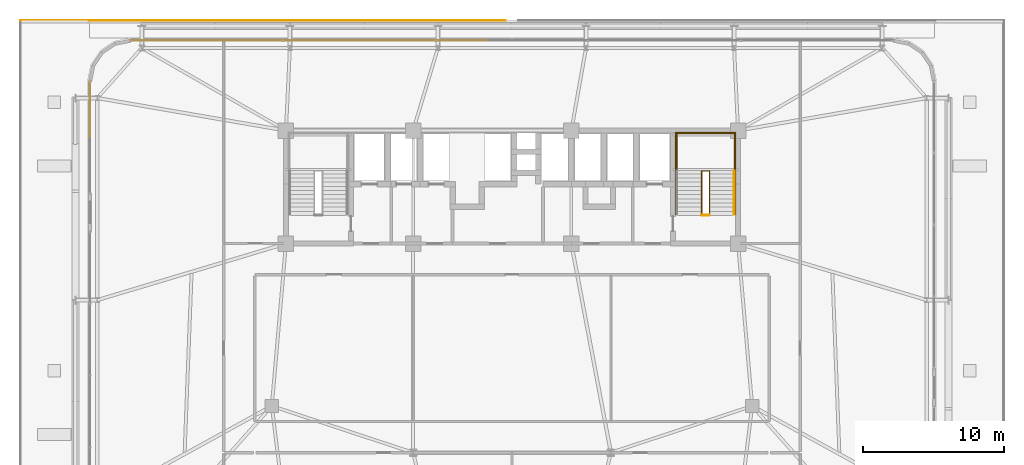
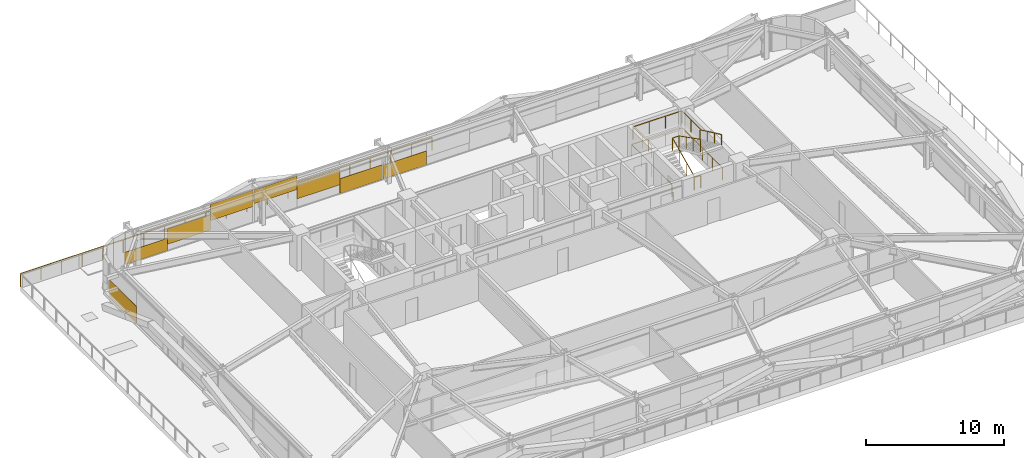
# One storey, part 55 of 56: 8 coverings, 6 railings.
"""IFC4 building model written with IfcOpenShell, lengths in metres."""

from ifc_helpers import new_model, si_unit, direction, frame, origin, origin_2d, place, context, subcontext, project, spatial, rectangle, extrude, source, transform, mapped, material, layer, layer_set, type_object, element, save


model = new_model("IFC4")

# Units and contexts
model_context = context("Model", 3, precision=1e-05, world=origin(), true_north=direction((0.0, 1.0)))
body_context = subcontext(model_context, "Body", "Model", "MODEL_VIEW")
ifc_project = project(units=[si_unit("LENGTHUNIT", "METRE"), si_unit("AREAUNIT", "SQUARE_METRE"), si_unit("VOLUMEUNIT", "CUBIC_METRE"), si_unit("PLANEANGLEUNIT", "RADIAN"), si_unit("MASSUNIT", "GRAM", prefix="KILO")], contexts=[model_context])

# Site, building, storey
site_placement = place(None, origin())
site = spatial("IfcSite", under=ifc_project, at=site_placement, CompositionType="ELEMENT")
building_placement = place(site_placement, origin())
building = spatial("IfcBuilding", under=site, at=building_placement, Name="Taldren Reach Tower", CompositionType="ELEMENT")
storey_placement = place(building_placement, frame((0.0, 0.0, 16.800048828125)))
storey = spatial("IfcBuildingStorey", under=building, at=storey_placement, Name="L04", CompositionType="ELEMENT", Elevation=16.800048828125)

# Railings
ifc_material_1 = material(Name="Steel Gr 350 (C350L0)", Category="steel")
ifc_layer_1 = layer(ifc_material_1, 0.050048828125)
ifc_layer_set_1 = layer_set([ifc_layer_1], Name="Steel Gr 350 (C350L0)")
railing_type_1 = type_object("IfcRailingType", Name="RL-STAIR-GR", PredefinedType="GUARDRAIL", material=ifc_layer_set_1)
railing_1_placement = place(storey_placement, frame((46.659912109375, 29.135009765625, 1.574951171875)))
element("IfcRailing", 1, at=railing_1_placement, inside=storey, type_object=railing_type_1, Name="Stair half-landing perimeter guard ST2-L04", PredefinedType="GUARDRAIL", context=body_context, shape_type="SweptSolid", body=[
    extrude(rectangle(XDim=0.047852, YDim=0.047852, at=origin_2d()), frame((0.0, 0.0, 1.09619140625), z_axis=(0.0, 1.0, 0.0), x_axis=(-1.0, 0.0, 0.0)), (0.0, 0.0, 1.0), 2.64501953125),
    extrude(rectangle(XDim=0.047852, YDim=0.047852, at=origin_2d()), frame((0.0, 2.64501953125, 1.09619140625), z_axis=(1.0, 0.0, 0.0), x_axis=(0.0, 1.0, 0.0)), (0.0, 0.0, 1.0), 4.080078125),
    extrude(rectangle(XDim=0.047852, YDim=0.047852, at=origin_2d()), frame((4.080078125, 2.64501953125, 1.09619140625), z_axis=(0.0, -1.0, 0.0), x_axis=(1.0, 0.0, 0.0)), (0.0, 0.0, 1.0), 2.64501953125),
    extrude(rectangle(XDim=0.041992, YDim=0.041992, at=origin_2d()), origin(), (0.0, 0.0, 1.0), 1.072021484375),
    extrude(rectangle(XDim=0.041992, YDim=0.041992, at=origin_2d()), frame((0.0, 1.322509765625, 0.0)), (0.0, 0.0, 1.0), 1.072021484375),
    extrude(rectangle(XDim=0.041992, YDim=0.041992, at=origin_2d()), frame((0.0, 2.64501953125, 0.0)), (0.0, 0.0, 1.0), 1.072021484375),
    extrude(rectangle(XDim=0.041992, YDim=0.041992, at=origin_2d()), frame((1.360107421875, 2.64501953125, 0.0)), (0.0, 0.0, 1.0), 1.072021484375),
    extrude(rectangle(XDim=0.041992, YDim=0.041992, at=origin_2d()), frame((2.719970703125, 2.64501953125, 0.0)), (0.0, 0.0, 1.0), 1.072021484375),
    extrude(rectangle(XDim=0.041992, YDim=0.041992, at=origin_2d()), frame((4.080078125, 2.64501953125, 0.0)), (0.0, 0.0, 1.0), 1.072021484375),
    extrude(rectangle(XDim=0.041992, YDim=0.041992, at=origin_2d()), frame((4.080078125, 1.322509765625, 0.0)), (0.0, 0.0, 1.0), 1.072021484375),
    extrude(rectangle(XDim=0.041992, YDim=0.041992, at=origin_2d()), frame((4.080078125, 0.0, 0.0)), (0.0, 0.0, 1.0), 1.072021484375),
])
railing_2_placement = place(storey_placement, frame((48.429931640625, 26.050048828125, 0.13134765625)))
element("IfcRailing", 2, at=railing_2_placement, inside=storey, type_object=railing_type_1, Name="Stairwell inner guard ST2-L04", PredefinedType="GUARDRAIL", context=body_context, shape_type="SweptSolid", body=[
    extrude(rectangle(XDim=0.047852, YDim=0.047852, at=origin_2d()), frame((0.0, 0.0, 1.09619140625), z_axis=(0.0, 0.905737652094, 0.423838773095), x_axis=(-1.0, 0.0, 0.0)), (0.0, 0.0, 1.0), 3.406005859375),
    extrude(rectangle(XDim=0.047852, YDim=0.047852, at=origin_2d()), frame((0.0, 3.0849609375, 2.53955078125), z_axis=(1.0, 0.0, 0.0), x_axis=(0.0, 1.0, 0.0)), (0.0, 0.0, 1.0), 0.5400390625),
    extrude(rectangle(XDim=0.047852, YDim=0.047852, at=origin_2d()), frame((0.5400390625, 3.0849609375, 2.53955078125), z_axis=(0.0, -0.890645957773, 0.45469745755), x_axis=(1.0, 0.0, 0.0)), (0.0, 0.0, 1.0), 3.463623046875),
    extrude(rectangle(XDim=0.041992, YDim=0.041992, at=origin_2d()), origin(), (0.0, 0.0, 1.0), 1.072021484375),
    extrude(rectangle(XDim=0.041992, YDim=0.041992, at=origin_2d()), frame((0.0, 1.0283203125, 0.481201171875)), (0.0, 0.0, 1.0), 1.072021484375),
    extrude(rectangle(XDim=0.041992, YDim=0.041992, at=origin_2d()), frame((0.0, 2.056640625, 0.96240234375)), (0.0, 0.0, 1.0), 1.072021484375),
    extrude(rectangle(XDim=0.041992, YDim=0.041992, at=origin_2d()), frame((0.0, 3.0849609375, 1.443603515625)), (0.0, 0.0, 1.0), 1.072021484375),
    extrude(rectangle(XDim=0.041992, YDim=0.041992, at=origin_2d()), frame((0.5400390625, 3.0849609375, 1.443603515625)), (0.0, 0.0, 1.0), 1.072021484375),
    extrude(rectangle(XDim=0.041992, YDim=0.041992, at=origin_2d()), frame((0.5400390625, 2.056640625, 1.968505859375)), (0.0, 0.0, 1.0), 1.072021484375),
    extrude(rectangle(XDim=0.041992, YDim=0.041992, at=origin_2d()), frame((0.5400390625, 1.0283203125, 2.49365234375)), (0.0, 0.0, 1.0), 1.072021484375),
    extrude(rectangle(XDim=0.041992, YDim=0.041992, at=origin_2d()), frame((0.5400390625, 0.0, 3.0185546875)), (0.0, 0.0, 1.0), 1.072021484375),
])
railing_3_placement = place(storey_placement, frame((48.429931640625, 26.010009765625, 0.0)))
element("IfcRailing", 3, at=railing_3_placement, inside=storey, type_object=railing_type_1, Name="Stairwell landing slot guard ST2-L04", PredefinedType="GUARDRAIL", context=body_context, shape_type="SweptSolid", body=[
    extrude(rectangle(XDim=0.047852, YDim=0.047852, at=origin_2d()), frame((0.0, 0.0, 1.09619140625), z_axis=(1.0, 0.0, 0.0), x_axis=(0.0, 1.0, 0.0)), (0.0, 0.0, 1.0), 0.5400390625),
    extrude(rectangle(XDim=0.041992, YDim=0.041992, at=origin_2d()), origin(), (0.0, 0.0, 1.0), 1.072021484375),
    extrude(rectangle(XDim=0.041992, YDim=0.041992, at=origin_2d()), frame((0.5400390625, 0.0, 0.0)), (0.0, 0.0, 1.0), 1.072021484375),
])
railing_4_placement = place(storey_placement, frame((46.590087890625, 26.050048828125, 0.0)))
element("IfcRailing", 4, at=railing_4_placement, inside=storey, type_object=railing_type_1, Name="Stairwell floor opening guard ST2-L04", PredefinedType="GUARDRAIL", context=body_context, shape_type="SweptSolid", body=[
    extrude(rectangle(XDim=0.047852, YDim=0.047852, at=origin_2d()), frame((0.0, 0.0, 1.09619140625), z_axis=(0.0, 1.0, 0.0), x_axis=(-1.0, 0.0, 0.0)), (0.0, 0.0, 1.0), 5.800048828125),
    extrude(rectangle(XDim=0.047852, YDim=0.047852, at=origin_2d()), frame((0.0, 5.800048828125, 1.09619140625), z_axis=(1.0, 0.0, 0.0), x_axis=(0.0, 1.0, 0.0)), (0.0, 0.0, 1.0), 4.219970703125),
    extrude(rectangle(XDim=0.047852, YDim=0.047852, at=origin_2d()), frame((4.219970703125, 5.800048828125, 1.09619140625), z_axis=(0.0, -1.0, 0.0), x_axis=(1.0, 0.0, 0.0)), (0.0, 0.0, 1.0), 5.800048828125),
    extrude(rectangle(XDim=0.041992, YDim=0.041992, at=origin_2d()), origin(), (0.0, 0.0, 1.0), 1.072021484375),
    extrude(rectangle(XDim=0.041992, YDim=0.041992, at=origin_2d()), frame((0.0, 1.449951171875, 0.0)), (0.0, 0.0, 1.0), 1.072021484375),
    extrude(rectangle(XDim=0.041992, YDim=0.041992, at=origin_2d()), frame((0.0, 2.89990234375, 0.0)), (0.0, 0.0, 1.0), 1.072021484375),
    extrude(rectangle(XDim=0.041992, YDim=0.041992, at=origin_2d()), frame((0.0, 4.35009765625, 0.0)), (0.0, 0.0, 1.0), 1.072021484375),
    extrude(rectangle(XDim=0.041992, YDim=0.041992, at=origin_2d()), frame((0.0, 5.800048828125, 0.0)), (0.0, 0.0, 1.0), 1.072021484375),
    extrude(rectangle(XDim=0.041992, YDim=0.041992, at=origin_2d()), frame((1.40673828125, 5.800048828125, 0.0)), (0.0, 0.0, 1.0), 1.072021484375),
    extrude(rectangle(XDim=0.041992, YDim=0.041992, at=origin_2d()), frame((2.813232421875, 5.800048828125, 0.0)), (0.0, 0.0, 1.0), 1.072021484375),
    extrude(rectangle(XDim=0.041992, YDim=0.041992, at=origin_2d()), frame((4.219970703125, 5.800048828125, 0.0)), (0.0, 0.0, 1.0), 1.072021484375),
    extrude(rectangle(XDim=0.041992, YDim=0.041992, at=origin_2d()), frame((4.219970703125, 4.35009765625, 0.0)), (0.0, 0.0, 1.0), 1.072021484375),
    extrude(rectangle(XDim=0.041992, YDim=0.041992, at=origin_2d()), frame((4.219970703125, 2.89990234375, 0.0)), (0.0, 0.0, 1.0), 1.072021484375),
    extrude(rectangle(XDim=0.041992, YDim=0.041992, at=origin_2d()), frame((4.219970703125, 1.449951171875, 0.0)), (0.0, 0.0, 1.0), 1.072021484375),
    extrude(rectangle(XDim=0.041992, YDim=0.041992, at=origin_2d()), frame((4.219970703125, 0.0, 0.0)), (0.0, 0.0, 1.0), 1.072021484375),
])
ifc_material_2 = material(Name="Stainless Steel Gr 316", Category="steel")
ifc_layer_2 = layer(ifc_material_2, 0.048095703125)
ifc_layer_set_2 = layer_set([ifc_layer_2], Name="Stainless Steel Gr 316")
railing_type_2 = type_object("IfcRailingType", Name="RL-STAIR-HR", PredefinedType="HANDRAIL", material=ifc_layer_set_2)
railing_5_placement = place(storey_placement, frame((50.72998046875, 29.135009765625, 1.706298828125)))
element("IfcRailing", 5, at=railing_5_placement, inside=storey, type_object=railing_type_2, Name="Stair flight handrail ST2-L04-2", PredefinedType="HANDRAIL", context=body_context, shape_type="SweptSolid", body=[
    extrude(rectangle(XDim=0.047852, YDim=0.047852, at=origin_2d()), frame((0.0, 0.0, 0.89599609375), z_axis=(0.0, -0.905737652094, 0.423838773095), x_axis=(1.0, 0.0, 0.0)), (0.0, 0.0, 1.0), 3.406005859375),
    extrude(rectangle(XDim=0.041992, YDim=0.041992, at=origin_2d()), origin(), (0.0, 0.0, 1.0), 0.871826171875),
    extrude(rectangle(XDim=0.041992, YDim=0.041992, at=origin_2d()), frame((0.0, -1.0283203125, 0.481201171875)), (0.0, 0.0, 1.0), 0.871826171875),
    extrude(rectangle(XDim=0.041992, YDim=0.041992, at=origin_2d()), frame((0.0, -2.056640625, 0.96240234375)), (0.0, 0.0, 1.0), 0.871826171875),
    extrude(rectangle(XDim=0.041992, YDim=0.041992, at=origin_2d()), frame((0.0, -3.0849609375, 1.443603515625)), (0.0, 0.0, 1.0), 0.871826171875),
])
ifc_material_3 = material(Name="Laminated Glass and Pale-Anodised Aluminium Balustrade", Category="aluminium")
ifc_layer_3 = layer(ifc_material_3, 0.070068359375)
ifc_layer_set_3 = layer_set([ifc_layer_3], Name="Laminated Glass and Pale-Anodised Aluminium Balustrade")
railing_type_3 = type_object("IfcRailingType", Name="RL-TERR-1150", PredefinedType="GUARDRAIL", material=ifc_layer_set_3)
railing_6_placement = place(storey_placement, frame((0.199951171875, 39.800048828125, 0.0)))
element("IfcRailing", 6, at=railing_6_placement, inside=storey, type_object=railing_type_3, Name="Outdoor terrace guardrail TERR-L04-WEST-03", PredefinedType="GUARDRAIL", context=body_context, shape_type="SweptSolid", body=[
    extrude(rectangle(XDim=0.047852, YDim=0.047852, at=origin_2d()), frame((0.0, 0.0, 1.1259765625), z_axis=(1.0, 0.0, 0.0), x_axis=(0.0, 1.0, 0.0)), (0.0, 0.0, 1.0), 34.330078125),
    extrude(rectangle(XDim=0.041992, YDim=0.041992, at=origin_2d()), origin(), (0.0, 0.0, 1.0), 1.101806640625),
    extrude(rectangle(XDim=0.041992, YDim=0.041992, at=origin_2d()), frame((1.716552734375, 0.0, 0.0)), (0.0, 0.0, 1.0), 1.101806640625),
    extrude(rectangle(XDim=0.041992, YDim=0.041992, at=origin_2d()), frame((3.43310546875, 0.0, 0.0)), (0.0, 0.0, 1.0), 1.101806640625),
    extrude(rectangle(XDim=0.041992, YDim=0.041992, at=origin_2d()), frame((5.1494140625, 0.0, 0.0)), (0.0, 0.0, 1.0), 1.101806640625),
    extrude(rectangle(XDim=0.041992, YDim=0.041992, at=origin_2d()), frame((6.865966796875, 0.0, 0.0)), (0.0, 0.0, 1.0), 1.101806640625),
    extrude(rectangle(XDim=0.041992, YDim=0.041992, at=origin_2d()), frame((8.58251953125, 0.0, 0.0)), (0.0, 0.0, 1.0), 1.101806640625),
    extrude(rectangle(XDim=0.041992, YDim=0.041992, at=origin_2d()), frame((10.299072265625, 0.0, 0.0)), (0.0, 0.0, 1.0), 1.101806640625),
    extrude(rectangle(XDim=0.041992, YDim=0.041992, at=origin_2d()), frame((12.015625, 0.0, 0.0)), (0.0, 0.0, 1.0), 1.101806640625),
    extrude(rectangle(XDim=0.041992, YDim=0.041992, at=origin_2d()), frame((13.73193359375, 0.0, 0.0)), (0.0, 0.0, 1.0), 1.101806640625),
    extrude(rectangle(XDim=0.041992, YDim=0.041992, at=origin_2d()), frame((15.448486328125, 0.0, 0.0)), (0.0, 0.0, 1.0), 1.101806640625),
    extrude(rectangle(XDim=0.041992, YDim=0.041992, at=origin_2d()), frame((17.1650390625, 0.0, 0.0)), (0.0, 0.0, 1.0), 1.101806640625),
    extrude(rectangle(XDim=0.041992, YDim=0.041992, at=origin_2d()), frame((18.881591796875, 0.0, 0.0)), (0.0, 0.0, 1.0), 1.101806640625),
    extrude(rectangle(XDim=0.041992, YDim=0.041992, at=origin_2d()), frame((20.59814453125, 0.0, 0.0)), (0.0, 0.0, 1.0), 1.101806640625),
    extrude(rectangle(XDim=0.041992, YDim=0.041992, at=origin_2d()), frame((22.314453125, 0.0, 0.0)), (0.0, 0.0, 1.0), 1.101806640625),
    extrude(rectangle(XDim=0.041992, YDim=0.041992, at=origin_2d()), frame((24.031005859375, 0.0, 0.0)), (0.0, 0.0, 1.0), 1.101806640625),
    extrude(rectangle(XDim=0.041992, YDim=0.041992, at=origin_2d()), frame((25.74755859375, 0.0, 0.0)), (0.0, 0.0, 1.0), 1.101806640625),
    extrude(rectangle(XDim=0.041992, YDim=0.041992, at=origin_2d()), frame((27.464111328125, 0.0, 0.0)), (0.0, 0.0, 1.0), 1.101806640625),
    extrude(rectangle(XDim=0.041992, YDim=0.041992, at=origin_2d()), frame((29.1806640625, 0.0, 0.0)), (0.0, 0.0, 1.0), 1.101806640625),
    extrude(rectangle(XDim=0.041992, YDim=0.041992, at=origin_2d()), frame((30.89697265625, 0.0, 0.0)), (0.0, 0.0, 1.0), 1.101806640625),
    extrude(rectangle(XDim=0.041992, YDim=0.041992, at=origin_2d()), frame((32.613525390625, 0.0, 0.0)), (0.0, 0.0, 1.0), 1.101806640625),
    extrude(rectangle(XDim=0.041992, YDim=0.041992, at=origin_2d()), frame((34.330078125, 0.0, 0.0)), (0.0, 0.0, 1.0), 1.101806640625),
])

# Coverings
ifc_material_4 = material(Name="Pale Champagne Fluoropolymer Aluminium Spandrel Cladding", Category="aluminium")
ifc_layer_4 = layer(ifc_material_4, 0.0439453125)
ifc_layer_set_4 = layer_set([ifc_layer_4], Name="Pale Champagne Fluoropolymer Aluminium Spandrel Cladding")
covering_type = type_object("IfcCoveringType", Name="CV-CLAD-044", PredefinedType="CLADDING", material=ifc_layer_set_4)
shared_shape_1 = source(origin(), body_context, "Body", "SweptSolid", [
    extrude(rectangle(XDim=3.5673828125, YDim=0.0439453125, at=origin_2d()), origin(), (0.0, 0.0, 1.0), 1.088623046875),
])
covering_1_placement = place(storey_placement, frame((9.8486328125, 38.360107421875, 0.0546875), z_axis=(0.0, 0.0, 1.0), x_axis=(-1.0, 0.0, 0.0)))
element("IfcCovering", 7, at=covering_1_placement, inside=storey, type_object=covering_type, Name="Diagrid closure cladding strip CW-2 panel 5.1 3", PredefinedType="CLADDING", context=body_context, shape_type="MappedRepresentation", body=[
    mapped(shared_shape_1, transform((0.0, 0.0, 0.0), scale=1.0)),
])
shared_shape_2 = source(origin(), body_context, "Body", "SweptSolid", [
    extrude(rectangle(XDim=3.5673828125, YDim=0.0439453125, at=origin_2d()), origin(), (0.0, 0.0, 1.0), 1.36083984375),
])
covering_2_placement = place(storey_placement, frame((13.416259765625, 38.360107421875, 0.60986328125), z_axis=(0.0, 0.0, 1.0), x_axis=(-1.0, 0.0, 0.0)))
element("IfcCovering", 8, at=covering_2_placement, inside=storey, type_object=covering_type, Name="Diagrid closure cladding strip CW-2 panel 5.1 2", PredefinedType="CLADDING", context=body_context, shape_type="MappedRepresentation", body=[
    mapped(shared_shape_2, transform((0.0, 0.0, 0.0), scale=1.0)),
])
shared_shape_3 = source(origin(), body_context, "Body", "SweptSolid", [
    extrude(rectangle(XDim=3.5673828125, YDim=0.0439453125, at=origin_2d()), origin(), (0.0, 0.0, 1.0), 1.437744140625),
])
covering_3_placement = place(storey_placement, frame((16.983642578125, 38.360107421875, 1.43701171875), z_axis=(0.0, 0.0, 1.0), x_axis=(-1.0, 0.0, 0.0)))
element("IfcCovering", 9, at=covering_3_placement, inside=storey, type_object=covering_type, Name="Diagrid closure cladding strip CW-2 panel 5.1 1", PredefinedType="CLADDING", context=body_context, shape_type="MappedRepresentation", body=[
    mapped(shared_shape_3, transform((0.0, 0.0, 0.0), scale=1.0)),
])
shared_shape_4 = source(origin(), body_context, "Body", "SweptSolid", [
    extrude(rectangle(XDim=3.578369140625, YDim=0.0439453125, at=origin_2d()), origin(), (0.0, 0.0, 1.0), 1.2177734375),
])
covering_4_placement = place(storey_placement, frame((20.62158203125, 38.360107421875, 1.6572265625), z_axis=(0.0, 0.0, 1.0), x_axis=(-1.0, 0.0, 0.0)))
element("IfcCovering", 10, at=covering_4_placement, inside=storey, type_object=covering_type, Name="Diagrid closure cladding strip CW-2 panel 4.1 3", PredefinedType="CLADDING", context=body_context, shape_type="MappedRepresentation", body=[
    mapped(shared_shape_4, transform((0.0, 0.0, 0.0), scale=1.0)),
])
shared_shape_5 = source(origin(), body_context, "Body", "SweptSolid", [
    extrude(rectangle(XDim=3.578369140625, YDim=0.0439453125, at=origin_2d()), origin(), (0.0, 0.0, 1.0), 1.36328125),
])
covering_5_placement = place(storey_placement, frame((24.199951171875, 38.360107421875, 0.827392578125), z_axis=(0.0, 0.0, 1.0), x_axis=(-1.0, 0.0, 0.0)))
element("IfcCovering", 11, at=covering_5_placement, inside=storey, type_object=covering_type, Name="Diagrid closure cladding strip CW-2 panel 4.1 2", PredefinedType="CLADDING", context=body_context, shape_type="MappedRepresentation", body=[
    mapped(shared_shape_5, transform((0.0, 0.0, 0.0), scale=1.0)),
])
shared_shape_6 = source(origin(), body_context, "Body", "SweptSolid", [
    extrude(rectangle(XDim=3.578369140625, YDim=0.0439453125, at=origin_2d()), origin(), (0.0, 0.0, 1.0), 1.30615234375),
])
covering_6_placement = place(storey_placement, frame((27.7783203125, 38.360107421875, 0.054931640625), z_axis=(0.0, 0.0, 1.0), x_axis=(-1.0, 0.0, 0.0)))
element("IfcCovering", 12, at=covering_6_placement, inside=storey, type_object=covering_type, Name="Diagrid closure cladding strip CW-2 panel 4.1 1", PredefinedType="CLADDING", context=body_context, shape_type="MappedRepresentation", body=[
    mapped(shared_shape_6, transform((0.0, 0.0, 0.0), scale=1.0)),
])
shared_shape_7 = source(origin(), body_context, "Body", "SweptSolid", [
    extrude(rectangle(XDim=3.578369140625, YDim=0.0439453125, at=origin_2d()), origin(), (0.0, 0.0, 1.0), 1.23193359375),
])
covering_7_placement = place(storey_placement, frame((31.421630859375, 38.360107421875, 0.054931640625), z_axis=(0.0, 0.0, 1.0), x_axis=(-1.0, 0.0, 0.0)))
element("IfcCovering", 13, at=covering_7_placement, inside=storey, type_object=covering_type, Name="Diagrid closure cladding strip CW-2 panel 3.1 3", PredefinedType="CLADDING", context=body_context, shape_type="MappedRepresentation", body=[
    mapped(shared_shape_7, transform((0.0, 0.0, 0.0), scale=1.0)),
])
shared_shape_8 = source(origin(), body_context, "Body", "SweptSolid", [
    extrude(rectangle(XDim=3.909912109375, YDim=0.0439453125, at=origin_2d()), origin(), (0.0, 0.0, 1.0), 1.46337890625),
])
covering_8_placement = place(storey_placement, frame((5.139892578125, 33.47998046875, 0.054931640625), z_axis=(0.0, 0.0, 1.0), x_axis=(0.0, -1.0, 0.0)))
element("IfcCovering", 14, at=covering_8_placement, inside=storey, type_object=covering_type, Name="Diagrid closure cladding strip CW-2 panel 1.1 1", PredefinedType="CLADDING", context=body_context, shape_type="MappedRepresentation", body=[
    mapped(shared_shape_8, transform((0.0, 0.0, 0.0), scale=1.0)),
])

save(model, "model.ifc")
